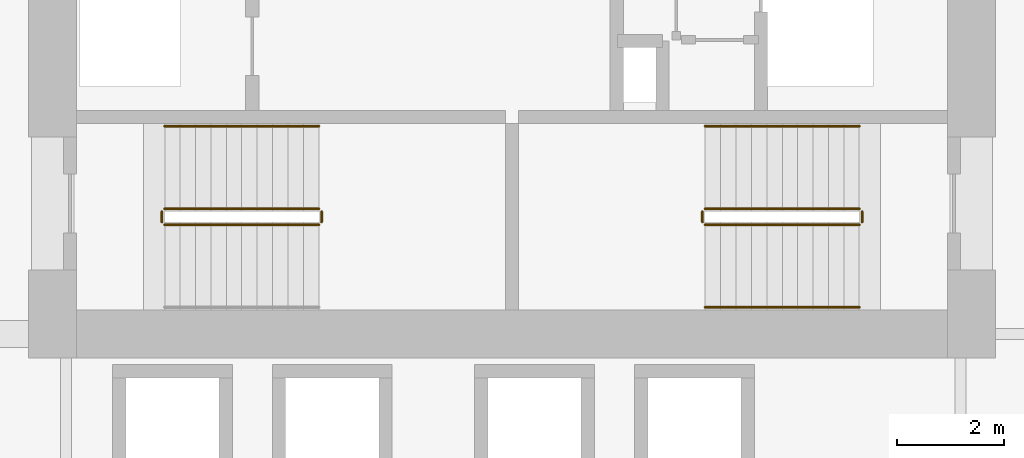
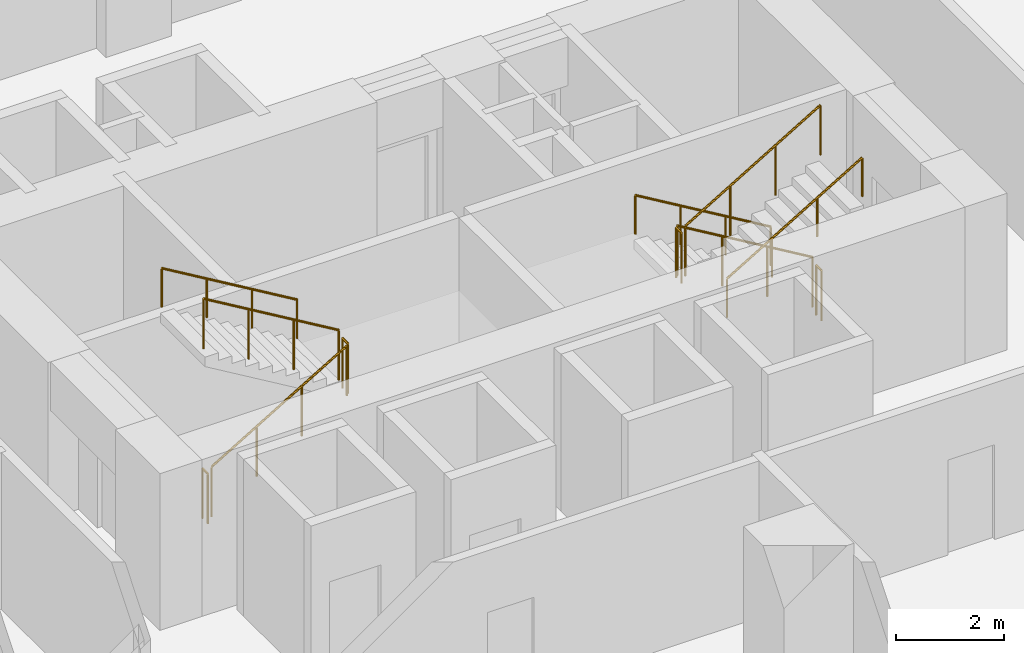
# One storey, part 20 of 22: 11 railings.
"""IFC4 building model written with IfcOpenShell, lengths in metres."""

import ifcopenshell
import ifcopenshell.guid

model = None  # the IFC model being written
_history = None  # IfcOwnerHistory: only IFC2X3 demands one
_inside = {}  # id of a spatial element -> (the spatial element, [elements in it])
_under = {}  # id of a project, library or spatial element -> (it, [spatial elements below it])
_declared = {}  # id of a project -> (the project, [libraries it declares])
_typed = {}  # id of a type object -> (the type object, [elements of that type])
_made_of = {}  # id of a material, layer set ... -> (it, [elements and type objects made of it])


def new_model(schema):
    """Start an empty IFC model of exactly this schema.

    Asked for "IFC4X3", IfcOpenShell would pick the latest addendum, in which some entities
    have other attributes; the version numbers below select the first issue.
    IFC2X3 requires an IfcOwnerHistory on every rooted entity: one is made here for all.
    """
    global model, _history
    if schema == "IFC4X3":
        model = ifcopenshell.file(schema_version=(4, 3, 0, 0))
    else:
        model = ifcopenshell.file(schema=schema)
    _inside.clear()
    _under.clear()
    _declared.clear()
    _typed.clear()
    _made_of.clear()
    _history = None
    if model.schema == "IFC2X3":
        org = make("IfcOrganization", Name="unknown")
        user = make(
            "IfcPersonAndOrganization",
            ThePerson=make("IfcPerson", FamilyName="unknown"),
            TheOrganization=org,
        )
        app = make(
            "IfcApplication",
            ApplicationDeveloper=org,
            Version="unknown",
            ApplicationFullName="unknown",
            ApplicationIdentifier="unknown",
        )
        _history = make(
            "IfcOwnerHistory",
            OwningUser=user,
            OwningApplication=app,
            ChangeAction="ADDED",
            CreationDate=0,
        )
    return model


def make(cls, **values):
    """One entity of the class cls with the attributes given. An attribute that is None is left unset."""
    return model.create_entity(
        cls, **{name: value for name, value in values.items() if value is not None}
    )


def rooted(cls, **values):
    """An entity with a GlobalId (a new one), such as an element, a storey or a relation."""
    return make(cls, GlobalId=ifcopenshell.guid.new(), OwnerHistory=_history, **values)


def si_unit(unit_type, name, prefix=None):
    """IfcSIUnit, for example si_unit("LENGTHUNIT", "METRE", prefix="MILLI")."""
    return make("IfcSIUnit", UnitType=unit_type, Prefix=prefix, Name=name)


def assignment(units):
    """IfcUnitAssignment: the units of a project."""
    return None if units is None else make("IfcUnitAssignment", Units=units)


def point(xyz):
    """IfcCartesianPoint."""
    return None if xyz is None else make("IfcCartesianPoint", Coordinates=xyz)


def direction(xyz):
    """IfcDirection."""
    return None if xyz is None else make("IfcDirection", DirectionRatios=xyz)


def frame(location, z_axis=None, x_axis=None):
    """IfcAxis2Placement3D, a coordinate frame: its origin and axes. An axis left out is left unset."""
    return make(
        "IfcAxis2Placement3D",
        Location=point(location),
        Axis=direction(z_axis),
        RefDirection=direction(x_axis),
    )


def frame_2d(location, x_axis=None):
    """IfcAxis2Placement2D, a coordinate frame in the plane: its origin and x axis."""
    return make(
        "IfcAxis2Placement2D", Location=point(location), RefDirection=direction(x_axis)
    )


def origin():
    """The frame at (0, 0, 0) with its axes left unset."""
    return frame((0.0, 0.0, 0.0))


def origin_2d():
    """The frame at (0, 0) in the plane with its x axis left unset."""
    return frame_2d((0.0, 0.0))


def place(relative_to, where):
    """IfcLocalPlacement: puts the frame where relative to a parent placement (None: the world)."""
    return make(
        "IfcLocalPlacement", PlacementRelTo=relative_to, RelativePlacement=where
    )


def context(
    kind, dimensions, precision=None, world=None, true_north=None, identifier=None
):
    """IfcGeometricRepresentationContext, for example the 3D "Model" context."""
    return make(
        "IfcGeometricRepresentationContext",
        ContextIdentifier=identifier,
        ContextType=kind,
        CoordinateSpaceDimension=dimensions,
        Precision=precision,
        WorldCoordinateSystem=world,
        TrueNorth=true_north,
    )


def subcontext(parent, identifier, kind, view, scale=None):
    """IfcGeometricRepresentationSubContext, for example "Body" below "Model"."""
    return make(
        "IfcGeometricRepresentationSubContext",
        ContextIdentifier=identifier,
        ContextType=kind,
        ParentContext=parent,
        TargetScale=scale,
        TargetView=view,
    )


def project(units=None, contexts=None):
    """IfcProject with its units and contexts."""
    return rooted(
        "IfcProject",
        Name="project",
        RepresentationContexts=contexts,
        UnitsInContext=assignment(units),
    )


def spatial(cls, under=None, at=None, **own):
    """A site, building, storey or space (cls), placed at a placement, below another one or the project."""
    s = rooted(cls, ObjectPlacement=at, **own)
    if under is not None:
        _under.setdefault(under.id(), (under, []))[1].append(s)
    return s


def profile(cls, at=None, kind="AREA", **sizes):
    """A parametric profile (cls). Its sizes go by their IFC names, for example OverallWidth=200.0."""
    return make(cls, ProfileType=kind, Position=at, **sizes)


def circle(**sizes):
    """IfcCircleProfileDef."""
    return profile("IfcCircleProfileDef", **sizes)


def extrude(swept, where, along, depth):
    """IfcExtrudedAreaSolid: the profile swept, set in the frame where, extruded along a direction by depth."""
    return make(
        "IfcExtrudedAreaSolid",
        SweptArea=swept,
        Position=where,
        ExtrudedDirection=direction(along),
        Depth=depth,
    )


def shape(context_of_items, identifier, shape_type, items):
    """IfcShapeRepresentation: the items that make up one representation, for example the "Body"."""
    return make(
        "IfcShapeRepresentation",
        ContextOfItems=context_of_items,
        RepresentationIdentifier=identifier,
        RepresentationType=shape_type,
        Items=items,
    )


def material(Name=None, Category=None):
    """IfcMaterial."""
    return make("IfcMaterial", Name=Name, Category=Category)


def made_of(thing, what):
    """Note that an element or type object is made of a material, layer set ...; save() writes the relation."""
    if what is not None:
        _made_of.setdefault(what.id(), (what, []))[1].append(thing)
    return thing


def type_object(cls, material=None, **own):
    """A type object (cls), such as IfcWallType, which elements share."""
    return made_of(rooted(cls, **own), material)


def element(
    cls,
    number,
    at=None,
    inside=None,
    cuts=None,
    type_object=None,
    material=None,
    context=None,
    identifier="Body",
    shape_type=None,
    held_by="IfcProductDefinitionShape",
    body=None,
    shapes=None,
    **own,
):
    """One element of the class cls, such as IfcWall. Its Tag is "e" and its number.

    at: its placement. inside: the storey or other place that contains it. cuts: it is an
    opening in that element (IfcRelVoidsElement). A single representation is given by context,
    identifier, shape_type and body (its items); several are given by shapes. held_by: the class
    of the entity that holds the representations. save() writes the other relations.
    """
    e = rooted(cls, Tag="e%d" % number, ObjectPlacement=at, **own)
    if body is not None:
        shapes = [shape(context, identifier, shape_type, body)]
    if shapes is not None:
        e.Representation = make(held_by, Representations=shapes)
    if inside is not None:
        _inside.setdefault(inside.id(), (inside, []))[1].append(e)
    if cuts is not None:
        rooted(
            "IfcRelVoidsElement", RelatingBuildingElement=cuts, RelatedOpeningElement=e
        )
    if type_object is not None:
        _typed.setdefault(type_object.id(), (type_object, []))[1].append(e)
    return made_of(e, material)


def aggregate(whole, parts):
    """IfcRelAggregates: a whole, such as a stair, and the parts it consists of."""
    return rooted("IfcRelAggregates", RelatingObject=whole, RelatedObjects=parts)


def save(model, path):
    """Write the relations noted so far, then the file.

    IfcRelAggregates (storeys below a building ...), IfcRelContainedInSpatialStructure (elements
    in a storey), IfcRelDefinesByType, IfcRelAssociatesMaterial and IfcRelDeclares: one each for
    every whole, place, type object, material and project.
    """
    for whole, parts in _under.values():
        aggregate(whole, parts)
    for where, things in _inside.values():
        rooted(
            "IfcRelContainedInSpatialStructure",
            RelatedElements=things,
            RelatingStructure=where,
        )
    for kind, things in _typed.values():
        rooted("IfcRelDefinesByType", RelatedObjects=things, RelatingType=kind)
    for what, things in _made_of.values():
        rooted("IfcRelAssociatesMaterial", RelatedObjects=things, RelatingMaterial=what)
    for by, libraries in _declared.values():
        rooted("IfcRelDeclares", RelatingContext=by, RelatedDefinitions=libraries)
    model.write(path)


model = new_model("IFC4")

# Units and contexts
model_context = context("Model", 3, precision=1e-05, world=origin(), true_north=direction((0.0, 1.0)))
body_context = subcontext(model_context, "Body", "Model", "MODEL_VIEW")
ifc_project = project(units=[si_unit("LENGTHUNIT", "METRE"), si_unit("AREAUNIT", "SQUARE_METRE"), si_unit("VOLUMEUNIT", "CUBIC_METRE"), si_unit("PLANEANGLEUNIT", "RADIAN"), si_unit("MASSUNIT", "GRAM", prefix="KILO")], contexts=[model_context])

# Site, building, storey
site_placement = place(None, origin())
site = spatial("IfcSite", under=ifc_project, at=site_placement, CompositionType="ELEMENT")
building_placement = place(site_placement, origin())
building = spatial("IfcBuilding", under=site, at=building_placement, Name="Koriwani Terraces Tower", CompositionType="ELEMENT")
storey_placement = place(building_placement, frame((0.0, 0.0, 51.0)))
storey = spatial("IfcBuildingStorey", under=building, at=storey_placement, Name="L11", CompositionType="ELEMENT", Elevation=51.0)

# Railings
ifc_material = material(Name="Steel ASTM A572 Grade 50", Category="steel")
railing_type_1 = type_object("IfcRailingType", Name="GUARD_STAIR_WELL_1120", PredefinedType="GUARDRAIL", material=ifc_material)
railing_1_placement = place(storey_placement, frame((43.85009765625, 18.85009765625, 0.172607421875)))
element("IfcRailing", 1, at=railing_1_placement, inside=storey, type_object=railing_type_1, Name="L11 ST-E1 stair guard 1", PredefinedType="GUARDRAIL", context=body_context, shape_type="SweptSolid", body=[
    extrude(circle(Radius=0.02392578125, at=origin_2d()), frame((0.0, 0.0, 1.1259765625), z_axis=(0.859141464434, 0.0, 0.511738159696), x_axis=(0.0, 1.0, 0.0)), (0.0, 0.0, 1.0), 3.375244140625),
    extrude(circle(Radius=0.02099609375, at=origin_2d()), origin(), (0.0, 0.0, 1.0), 1.101806640625),
    extrude(circle(Radius=0.02099609375, at=origin_2d()), frame((0.966552734375, 0.0, 0.57568359375)), (0.0, 0.0, 1.0), 1.101806640625),
    extrude(circle(Radius=0.02099609375, at=origin_2d()), frame((1.933349609375, 0.0, 1.151611328125)), (0.0, 0.0, 1.0), 1.101806640625),
    extrude(circle(Radius=0.02099609375, at=origin_2d()), frame((2.89990234375, 0.0, 1.727294921875)), (0.0, 0.0, 1.0), 1.101806640625),
])
railing_2_placement = place(storey_placement, frame((46.800048828125, 18.89990234375, 1.89990234375)))
element("IfcRailing", 2, at=railing_2_placement, inside=storey, type_object=railing_type_1, Name="L11 ST-E1 stair guard 2", PredefinedType="GUARDRAIL", context=body_context, shape_type="SweptSolid", body=[
    extrude(circle(Radius=0.02392578125, at=origin_2d()), frame((0.0, 0.0, 1.1259765625), z_axis=(0.0, 1.0, 0.0), x_axis=(-1.0, 0.0, 0.0)), (0.0, 0.0, 1.0), 0.2001953125),
    extrude(circle(Radius=0.02099609375, at=origin_2d()), origin(), (0.0, 0.0, 1.0), 1.101806640625),
    extrude(circle(Radius=0.02099609375, at=origin_2d()), frame((0.0, 0.2001953125, 0.0)), (0.0, 0.0, 1.0), 1.101806640625),
])
railing_3_placement = place(storey_placement, frame((46.75, 19.14990234375, 2.07275390625)))
element("IfcRailing", 3, at=railing_3_placement, inside=storey, type_object=railing_type_1, Name="L11 ST-E1 stair guard 3", PredefinedType="GUARDRAIL", context=body_context, shape_type="SweptSolid", body=[
    extrude(circle(Radius=0.02392578125, at=origin_2d()), frame((0.0, 0.0, 1.1259765625), z_axis=(-0.859141464434, 0.0, 0.511738159696), x_axis=(0.0, -1.0, 0.0)), (0.0, 0.0, 1.0), 3.375244140625),
    extrude(circle(Radius=0.02099609375, at=origin_2d()), origin(), (0.0, 0.0, 1.0), 1.101806640625),
    extrude(circle(Radius=0.02099609375, at=origin_2d()), frame((-0.966552734375, 0.0, 0.57568359375)), (0.0, 0.0, 1.0), 1.101806640625),
    extrude(circle(Radius=0.02099609375, at=origin_2d()), frame((-1.933349609375, 0.0, 1.151611328125)), (0.0, 0.0, 1.0), 1.101806640625),
    extrude(circle(Radius=0.02099609375, at=origin_2d()), frame((-2.89990234375, 0.0, 1.727294921875)), (0.0, 0.0, 1.0), 1.101806640625),
])
railing_4_placement = place(storey_placement, frame((43.800048828125, 18.89990234375, 0.0)))
element("IfcRailing", 4, at=railing_4_placement, inside=storey, type_object=railing_type_1, Name="L11 ST-E1 stair guard 4", PredefinedType="GUARDRAIL", context=body_context, shape_type="SweptSolid", body=[
    extrude(circle(Radius=0.02392578125, at=origin_2d()), frame((0.0, 0.0, 1.1259765625), z_axis=(0.0, 1.0, 0.0), x_axis=(-1.0, 0.0, 0.0)), (0.0, 0.0, 1.0), 0.2001953125),
    extrude(circle(Radius=0.02099609375, at=origin_2d()), origin(), (0.0, 0.0, 1.0), 1.101806640625),
    extrude(circle(Radius=0.02099609375, at=origin_2d()), frame((0.0, 0.2001953125, 0.0)), (0.0, 0.0, 1.0), 1.101806640625),
])
railing_5_placement = place(storey_placement, frame((56.89990234375, 19.14990234375, 0.172607421875)))
element("IfcRailing", 5, at=railing_5_placement, inside=storey, type_object=railing_type_1, Name="L11 ST-E2 stair guard 1", PredefinedType="GUARDRAIL", context=body_context, shape_type="SweptSolid", body=[
    extrude(circle(Radius=0.02392578125, at=origin_2d()), frame((0.0, 0.0, 1.1259765625), z_axis=(-0.859141464434, 0.0, 0.511738159696), x_axis=(0.0, -1.0, 0.0)), (0.0, 0.0, 1.0), 3.375244140625),
    extrude(circle(Radius=0.02099609375, at=origin_2d()), origin(), (0.0, 0.0, 1.0), 1.101806640625),
    extrude(circle(Radius=0.02099609375, at=origin_2d()), frame((-0.966552734375, 0.0, 0.57568359375)), (0.0, 0.0, 1.0), 1.101806640625),
    extrude(circle(Radius=0.02099609375, at=origin_2d()), frame((-1.933349609375, 0.0, 1.151611328125)), (0.0, 0.0, 1.0), 1.101806640625),
    extrude(circle(Radius=0.02099609375, at=origin_2d()), frame((-2.89990234375, 0.0, 1.727294921875)), (0.0, 0.0, 1.0), 1.101806640625),
])
railing_6_placement = place(storey_placement, frame((53.949951171875, 19.10009765625, 1.89990234375)))
element("IfcRailing", 6, at=railing_6_placement, inside=storey, type_object=railing_type_1, Name="L11 ST-E2 stair guard 2", PredefinedType="GUARDRAIL", context=body_context, shape_type="SweptSolid", body=[
    extrude(circle(Radius=0.02392578125, at=origin_2d()), frame((0.0, 0.0, 1.1259765625), z_axis=(0.0, -1.0, 0.0), x_axis=(1.0, 0.0, 0.0)), (0.0, 0.0, 1.0), 0.2001953125),
    extrude(circle(Radius=0.02099609375, at=origin_2d()), origin(), (0.0, 0.0, 1.0), 1.101806640625),
    extrude(circle(Radius=0.02099609375, at=origin_2d()), frame((0.0, -0.2001953125, 0.0)), (0.0, 0.0, 1.0), 1.101806640625),
])
railing_7_placement = place(storey_placement, frame((54.0, 18.85009765625, 2.07275390625)))
element("IfcRailing", 7, at=railing_7_placement, inside=storey, type_object=railing_type_1, Name="L11 ST-E2 stair guard 3", PredefinedType="GUARDRAIL", context=body_context, shape_type="SweptSolid", body=[
    extrude(circle(Radius=0.02392578125, at=origin_2d()), frame((0.0, 0.0, 1.1259765625), z_axis=(0.859141464434, 0.0, 0.511738159696), x_axis=(0.0, 1.0, 0.0)), (0.0, 0.0, 1.0), 3.375244140625),
    extrude(circle(Radius=0.02099609375, at=origin_2d()), origin(), (0.0, 0.0, 1.0), 1.101806640625),
    extrude(circle(Radius=0.02099609375, at=origin_2d()), frame((0.966552734375, 0.0, 0.57568359375)), (0.0, 0.0, 1.0), 1.101806640625),
    extrude(circle(Radius=0.02099609375, at=origin_2d()), frame((1.933349609375, 0.0, 1.151611328125)), (0.0, 0.0, 1.0), 1.101806640625),
    extrude(circle(Radius=0.02099609375, at=origin_2d()), frame((2.89990234375, 0.0, 1.727294921875)), (0.0, 0.0, 1.0), 1.101806640625),
])
railing_8_placement = place(storey_placement, frame((56.949951171875, 19.10009765625, 0.0)))
element("IfcRailing", 8, at=railing_8_placement, inside=storey, type_object=railing_type_1, Name="L11 ST-E2 stair guard 4", PredefinedType="GUARDRAIL", context=body_context, shape_type="SweptSolid", body=[
    extrude(circle(Radius=0.02392578125, at=origin_2d()), frame((0.0, 0.0, 1.1259765625), z_axis=(0.0, -1.0, 0.0), x_axis=(1.0, 0.0, 0.0)), (0.0, 0.0, 1.0), 0.2001953125),
    extrude(circle(Radius=0.02099609375, at=origin_2d()), origin(), (0.0, 0.0, 1.0), 1.101806640625),
    extrude(circle(Radius=0.02099609375, at=origin_2d()), frame((0.0, -0.2001953125, 0.0)), (0.0, 0.0, 1.0), 1.101806640625),
])
railing_type_2 = type_object("IfcRailingType", Name="HANDRAIL_STAIR_920", PredefinedType="HANDRAIL", material=ifc_material)
for number, where, name in (
    (9, (46.75, 20.699951171875, 2.07275390625), "L11 ST-E1 stair handrail 2"),
    (10, (56.89990234375, 20.699951171875, 0.172607421875), "L11 ST-E2 stair handrail 1"),
):
    element("IfcRailing", number, at=place(storey_placement, frame(where)), inside=storey, type_object=railing_type_2, Name=name, PredefinedType="HANDRAIL", context=body_context, shape_type="SweptSolid", body=[
        extrude(circle(Radius=0.02392578125, at=origin_2d()), frame((0.0, 0.0, 0.8759765625), z_axis=(-0.859141464434, 0.0, 0.511738159696), x_axis=(0.0, -1.0, 0.0)), (0.0, 0.0, 1.0), 3.375244140625),
        extrude(circle(Radius=0.02099609375, at=origin_2d()), origin(), (0.0, 0.0, 1.0), 0.851806640625),
        extrude(circle(Radius=0.02099609375, at=origin_2d()), frame((-0.966552734375, 0.0, 0.57568359375)), (0.0, 0.0, 1.0), 0.851806640625),
        extrude(circle(Radius=0.02099609375, at=origin_2d()), frame((-1.933349609375, 0.0, 1.151611328125)), (0.0, 0.0, 1.0), 0.851806640625),
        extrude(circle(Radius=0.02099609375, at=origin_2d()), frame((-2.89990234375, 0.0, 1.727294921875)), (0.0, 0.0, 1.0), 0.851806640625),
    ])
railing_9_placement = place(storey_placement, frame((54.0, 17.300048828125, 2.07275390625)))
element("IfcRailing", 11, at=railing_9_placement, inside=storey, type_object=railing_type_2, Name="L11 ST-E2 stair handrail 2", PredefinedType="HANDRAIL", context=body_context, shape_type="SweptSolid", body=[
    extrude(circle(Radius=0.02392578125, at=origin_2d()), frame((0.0, 0.0, 0.8759765625), z_axis=(0.859141464434, 0.0, 0.511738159696), x_axis=(0.0, 1.0, 0.0)), (0.0, 0.0, 1.0), 3.375244140625),
    extrude(circle(Radius=0.02099609375, at=origin_2d()), origin(), (0.0, 0.0, 1.0), 0.851806640625),
    extrude(circle(Radius=0.02099609375, at=origin_2d()), frame((0.966552734375, 0.0, 0.57568359375)), (0.0, 0.0, 1.0), 0.851806640625),
    extrude(circle(Radius=0.02099609375, at=origin_2d()), frame((1.933349609375, 0.0, 1.151611328125)), (0.0, 0.0, 1.0), 0.851806640625),
    extrude(circle(Radius=0.02099609375, at=origin_2d()), frame((2.89990234375, 0.0, 1.727294921875)), (0.0, 0.0, 1.0), 0.851806640625),
])

save(model, "model.ifc")
